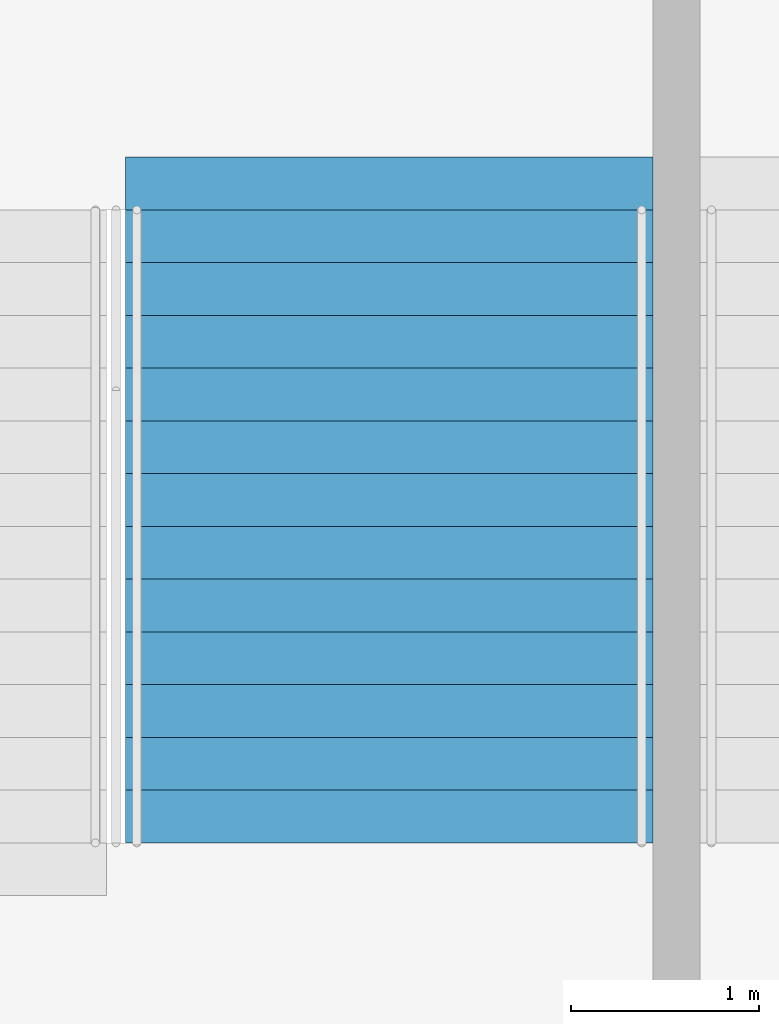
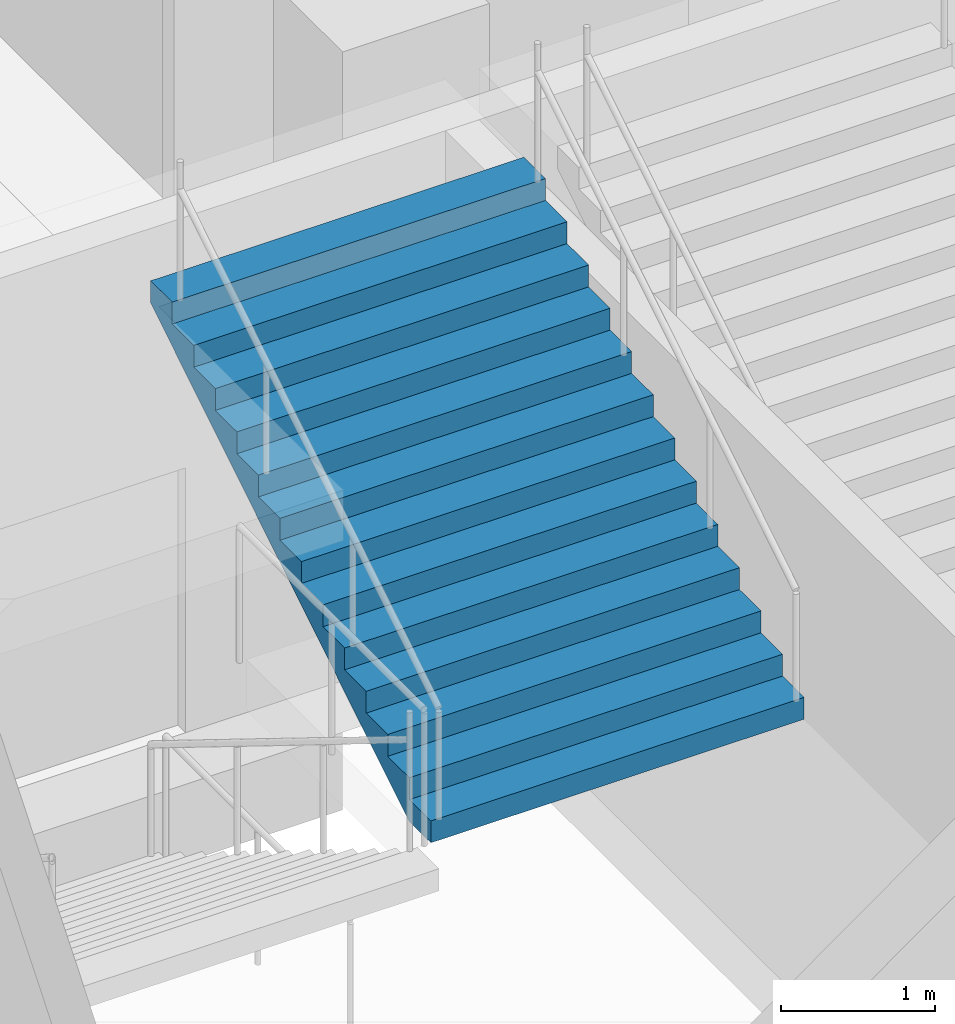
# One storey, part 147 of 249: 1 stair flight, 1 element without a shape of its own.
"""IFC4 building model written with IfcOpenShell, lengths in metres."""

from ifc_helpers import new_model, si_unit, direction, frame, origin, place, context, subcontext, project, spatial, faceted_brep, material, type_object, element, aggregate, save


model = new_model("IFC4")

# Units and contexts
model_context = context("Model", 3, precision=1e-05, world=origin(), true_north=direction((0.0, 1.0)))
body_context = subcontext(model_context, "Body", "Model", "MODEL_VIEW")
ifc_project = project(units=[si_unit("LENGTHUNIT", "METRE"), si_unit("AREAUNIT", "SQUARE_METRE"), si_unit("VOLUMEUNIT", "CUBIC_METRE"), si_unit("PLANEANGLEUNIT", "RADIAN"), si_unit("MASSUNIT", "GRAM", prefix="KILO")], contexts=[model_context])

# Site, building, storey
site_placement = place(None, origin())
site = spatial("IfcSite", under=ifc_project, at=site_placement, CompositionType="ELEMENT")
building_placement = place(site_placement, origin())
building = spatial("IfcBuilding", under=site, at=building_placement, Name="Ogive Plaza Stadium", CompositionType="ELEMENT")
storey_placement = place(building_placement, frame((0.0, 0.0, 13.5)))
storey = spatial("IfcBuildingStorey", under=building, at=storey_placement, Name="L03", CompositionType="ELEMENT", Elevation=13.5)

# Stair, stair flight
ifc_material_1 = material(Name="Concrete C40/50", Category="concrete")
stair_type = type_object("IfcStairType", Name="Exit stair", PredefinedType="STRAIGHT_RUN_STAIR", material=ifc_material_1)
stair_placement = place(storey_placement, origin())
stair = element("IfcStair", 1, at=stair_placement, inside=storey, type_object=stair_type, Name="Exit stair ST14A L03 to L04", PredefinedType="STRAIGHT_RUN_STAIR")
ifc_material_2 = material(Name="Concrete C40/50", Category="concrete")
stair_flight_type = type_object("IfcStairFlightType", Name="Exit stair flight", PredefinedType="STRAIGHT", material=ifc_material_2)
stair_flight_placement = place(storey_placement, frame((5.27490234375, -98.2099609375, 2.25), z_axis=(0.0, 0.0, 1.0), x_axis=(0.0, 1.0, 0.0)))
stair_flight = element("IfcStairFlight", 2, at=stair_flight_placement, type_object=stair_flight_type, Name="ST14A flight 2", NumberOfRisers=13, NumberOfTreads=12, PredefinedType="STRAIGHT", RiserHeight=0.173076923, TreadLength=0.28, context=body_context, shape_type="Brep", body=[
    faceted_brep([(0.28515625, -1.39990234375, 0.0), (3.639892578125, -1.39990234375, 2.07373046875), (3.639892578125, -1.39990234375, 2.25), (3.360107421875, -1.39990234375, 2.25), (3.360107421875, -1.39990234375, 2.076904296875), (3.080078125, -1.39990234375, 2.076904296875), (3.080078125, -1.39990234375, 1.90380859375), (2.800048828125, -1.39990234375, 1.90380859375), (2.800048828125, -1.39990234375, 1.730712890625), (2.52001953125, -1.39990234375, 1.730712890625), (2.52001953125, -1.39990234375, 1.5576171875), (2.239990234375, -1.39990234375, 1.5576171875), (2.239990234375, -1.39990234375, 1.384521484375), (1.9599609375, -1.39990234375, 1.384521484375), (1.9599609375, -1.39990234375, 1.21142578125), (1.679931640625, -1.39990234375, 1.21142578125), (1.679931640625, -1.39990234375, 1.03857421875), (1.39990234375, -1.39990234375, 1.03857421875), (1.39990234375, -1.39990234375, 0.865478515625), (1.1201171875, -1.39990234375, 0.865478515625), (1.1201171875, -1.39990234375, 0.6923828125), (0.840087890625, -1.39990234375, 0.6923828125), (0.840087890625, -1.39990234375, 0.519287109375), (0.56005859375, -1.39990234375, 0.519287109375), (0.56005859375, -1.39990234375, 0.34619140625), (0.280029296875, -1.39990234375, 0.34619140625), (0.280029296875, -1.39990234375, 0.173095703125), (0.0, -1.39990234375, 0.173095703125), (0.0, -1.39990234375, 0.0), (0.0, 1.39990234375, 0.0), (0.0, 1.39990234375, 0.173095703125), (0.280029296875, 1.39990234375, 0.173095703125), (0.280029296875, 1.39990234375, 0.34619140625), (0.56005859375, 1.39990234375, 0.34619140625), (0.56005859375, 1.39990234375, 0.519287109375), (0.840087890625, 1.39990234375, 0.519287109375), (0.840087890625, 1.39990234375, 0.6923828125), (1.1201171875, 1.39990234375, 0.6923828125), (1.1201171875, 1.39990234375, 0.865478515625), (1.39990234375, 1.39990234375, 0.865478515625), (1.39990234375, 1.39990234375, 1.03857421875), (1.679931640625, 1.39990234375, 1.03857421875), (1.679931640625, 1.39990234375, 1.21142578125), (1.9599609375, 1.39990234375, 1.21142578125), (1.9599609375, 1.39990234375, 1.384521484375), (2.239990234375, 1.39990234375, 1.384521484375), (2.239990234375, 1.39990234375, 1.5576171875), (2.52001953125, 1.39990234375, 1.5576171875), (2.52001953125, 1.39990234375, 1.730712890625), (2.800048828125, 1.39990234375, 1.730712890625), (2.800048828125, 1.39990234375, 1.90380859375), (3.080078125, 1.39990234375, 1.90380859375), (3.080078125, 1.39990234375, 2.076904296875), (3.360107421875, 1.39990234375, 2.076904296875), (3.360107421875, 1.39990234375, 2.25), (3.639892578125, 1.39990234375, 2.25), (3.639892578125, 1.39990234375, 2.07373046875), (0.28515625, 1.39990234375, 0.0), (0.28515625, -1.0888671875, 0.0), (3.639892578125, -1.0888671875, 2.07373046875), (0.28515625, -0.77783203125, 0.0), (3.639892578125, -0.77783203125, 2.07373046875), (0.28515625, -0.466796875, 0.0), (3.639892578125, -0.466796875, 2.07373046875), (0.28515625, -0.155517578125, 0.0), (3.639892578125, -0.155517578125, 2.07373046875), (0.28515625, 0.155517578125, 0.0), (3.639892578125, 0.155517578125, 2.07373046875), (0.28515625, 0.466796875, 0.0), (3.639892578125, 0.466796875, 2.07373046875), (0.28515625, 0.77783203125, 0.0), (3.639892578125, 0.77783203125, 2.07373046875), (0.28515625, 1.0888671875, 0.0), (3.639892578125, 1.0888671875, 2.07373046875), (3.639892578125, -1.0888671875, 2.25), (3.639892578125, -0.77783203125, 2.25), (3.639892578125, -0.466796875, 2.25), (3.639892578125, -0.155517578125, 2.25), (3.639892578125, 0.155517578125, 2.25), (3.639892578125, 0.466796875, 2.25), (3.639892578125, 0.77783203125, 2.25), (3.639892578125, 1.0888671875, 2.25), (3.360107421875, -1.0888671875, 2.25), (3.360107421875, -0.77783203125, 2.25), (3.360107421875, -0.466796875, 2.25), (3.360107421875, -0.155517578125, 2.25), (3.360107421875, 0.155517578125, 2.25), (3.360107421875, 0.466796875, 2.25), (3.360107421875, 0.77783203125, 2.25), (3.360107421875, 1.0888671875, 2.25), (3.360107421875, -1.0888671875, 2.076904296875), (3.360107421875, -0.77783203125, 2.076904296875), (3.360107421875, -0.466796875, 2.076904296875), (3.360107421875, -0.155517578125, 2.076904296875), (3.360107421875, 0.155517578125, 2.076904296875), (3.360107421875, 0.466796875, 2.076904296875), (3.360107421875, 0.77783203125, 2.076904296875), (3.360107421875, 1.0888671875, 2.076904296875), (3.080078125, -1.0888671875, 2.076904296875), (3.080078125, -0.77783203125, 2.076904296875), (3.080078125, -0.466796875, 2.076904296875), (3.080078125, -0.155517578125, 2.076904296875), (3.080078125, 0.155517578125, 2.076904296875), (3.080078125, 0.466796875, 2.076904296875), (3.080078125, 0.77783203125, 2.076904296875), (3.080078125, 1.0888671875, 2.076904296875), (3.080078125, -1.0888671875, 1.90380859375), (3.080078125, -0.77783203125, 1.90380859375), (3.080078125, -0.466796875, 1.90380859375), (3.080078125, -0.155517578125, 1.90380859375), (3.080078125, 0.155517578125, 1.90380859375), (3.080078125, 0.466796875, 1.90380859375), (3.080078125, 0.77783203125, 1.90380859375), (3.080078125, 1.0888671875, 1.90380859375), (2.800048828125, -1.0888671875, 1.90380859375), (2.800048828125, -0.77783203125, 1.90380859375), (2.800048828125, -0.466796875, 1.90380859375), (2.800048828125, -0.155517578125, 1.90380859375), (2.800048828125, 0.155517578125, 1.90380859375), (2.800048828125, 0.466796875, 1.90380859375), (2.800048828125, 0.77783203125, 1.90380859375), (2.800048828125, 1.0888671875, 1.90380859375), (2.800048828125, -1.0888671875, 1.730712890625), (2.800048828125, -0.77783203125, 1.730712890625), (2.800048828125, -0.466796875, 1.730712890625), (2.800048828125, -0.155517578125, 1.730712890625), (2.800048828125, 0.155517578125, 1.730712890625), (2.800048828125, 0.466796875, 1.730712890625), (2.800048828125, 0.77783203125, 1.730712890625), (2.800048828125, 1.0888671875, 1.730712890625), (2.52001953125, -1.0888671875, 1.730712890625), (2.52001953125, -0.77783203125, 1.730712890625), (2.52001953125, -0.466796875, 1.730712890625), (2.52001953125, -0.155517578125, 1.730712890625), (2.52001953125, 0.155517578125, 1.730712890625), (2.52001953125, 0.466796875, 1.730712890625), (2.52001953125, 0.77783203125, 1.730712890625), (2.52001953125, 1.0888671875, 1.730712890625), (2.52001953125, -1.0888671875, 1.5576171875), (2.52001953125, -0.77783203125, 1.5576171875), (2.52001953125, -0.466796875, 1.5576171875), (2.52001953125, -0.155517578125, 1.5576171875), (2.52001953125, 0.155517578125, 1.5576171875), (2.52001953125, 0.466796875, 1.5576171875), (2.52001953125, 0.77783203125, 1.5576171875), (2.52001953125, 1.0888671875, 1.5576171875), (2.239990234375, -1.0888671875, 1.5576171875), (2.239990234375, -0.77783203125, 1.5576171875), (2.239990234375, -0.466796875, 1.5576171875), (2.239990234375, -0.155517578125, 1.5576171875), (2.239990234375, 0.155517578125, 1.5576171875), (2.239990234375, 0.466796875, 1.5576171875), (2.239990234375, 0.77783203125, 1.5576171875), (2.239990234375, 1.0888671875, 1.5576171875), (2.239990234375, -1.0888671875, 1.384521484375), (2.239990234375, -0.77783203125, 1.384521484375), (2.239990234375, -0.466796875, 1.384521484375), (2.239990234375, -0.155517578125, 1.384521484375), (2.239990234375, 0.155517578125, 1.384521484375), (2.239990234375, 0.466796875, 1.384521484375), (2.239990234375, 0.77783203125, 1.384521484375), (2.239990234375, 1.0888671875, 1.384521484375), (1.9599609375, -1.0888671875, 1.384521484375), (1.9599609375, -0.77783203125, 1.384521484375), (1.9599609375, -0.466796875, 1.384521484375), (1.9599609375, -0.155517578125, 1.384521484375), (1.9599609375, 0.155517578125, 1.384521484375), (1.9599609375, 0.466796875, 1.384521484375), (1.9599609375, 0.77783203125, 1.384521484375), (1.9599609375, 1.0888671875, 1.384521484375), (1.9599609375, -1.0888671875, 1.21142578125), (1.9599609375, -0.77783203125, 1.21142578125), (1.9599609375, -0.466796875, 1.21142578125), (1.9599609375, -0.155517578125, 1.21142578125), (1.9599609375, 0.155517578125, 1.21142578125), (1.9599609375, 0.466796875, 1.21142578125), (1.9599609375, 0.77783203125, 1.21142578125), (1.9599609375, 1.0888671875, 1.21142578125), (1.679931640625, -1.0888671875, 1.21142578125), (1.679931640625, -0.77783203125, 1.21142578125), (1.679931640625, -0.466796875, 1.21142578125), (1.679931640625, -0.155517578125, 1.21142578125), (1.679931640625, 0.155517578125, 1.21142578125), (1.679931640625, 0.466796875, 1.21142578125), (1.679931640625, 0.77783203125, 1.21142578125), (1.679931640625, 1.0888671875, 1.21142578125), (1.679931640625, -1.0888671875, 1.03857421875), (1.679931640625, -0.77783203125, 1.03857421875), (1.679931640625, -0.466796875, 1.03857421875), (1.679931640625, -0.155517578125, 1.03857421875), (1.679931640625, 0.155517578125, 1.03857421875), (1.679931640625, 0.466796875, 1.03857421875), (1.679931640625, 0.77783203125, 1.03857421875), (1.679931640625, 1.0888671875, 1.03857421875), (1.39990234375, -1.0888671875, 1.03857421875), (1.39990234375, -0.77783203125, 1.03857421875), (1.39990234375, -0.466796875, 1.03857421875), (1.39990234375, -0.155517578125, 1.03857421875), (1.39990234375, 0.155517578125, 1.03857421875), (1.39990234375, 0.466796875, 1.03857421875), (1.39990234375, 0.77783203125, 1.03857421875), (1.39990234375, 1.0888671875, 1.03857421875), (1.39990234375, -1.0888671875, 0.865478515625), (1.39990234375, -0.77783203125, 0.865478515625), (1.39990234375, -0.466796875, 0.865478515625), (1.39990234375, -0.155517578125, 0.865478515625), (1.39990234375, 0.155517578125, 0.865478515625), (1.39990234375, 0.466796875, 0.865478515625), (1.39990234375, 0.77783203125, 0.865478515625), (1.39990234375, 1.0888671875, 0.865478515625), (1.1201171875, -1.0888671875, 0.865478515625), (1.1201171875, -0.77783203125, 0.865478515625), (1.1201171875, -0.466796875, 0.865478515625), (1.1201171875, -0.155517578125, 0.865478515625), (1.1201171875, 0.155517578125, 0.865478515625), (1.1201171875, 0.466796875, 0.865478515625), (1.1201171875, 0.77783203125, 0.865478515625), (1.1201171875, 1.0888671875, 0.865478515625), (1.1201171875, -1.0888671875, 0.6923828125), (1.1201171875, -0.77783203125, 0.6923828125), (1.1201171875, -0.466796875, 0.6923828125), (1.1201171875, -0.155517578125, 0.6923828125), (1.1201171875, 0.155517578125, 0.6923828125), (1.1201171875, 0.466796875, 0.6923828125), (1.1201171875, 0.77783203125, 0.6923828125), (1.1201171875, 1.0888671875, 0.6923828125), (0.840087890625, -1.0888671875, 0.6923828125), (0.840087890625, -0.77783203125, 0.6923828125), (0.840087890625, -0.466796875, 0.6923828125), (0.840087890625, -0.155517578125, 0.6923828125), (0.840087890625, 0.155517578125, 0.6923828125), (0.840087890625, 0.466796875, 0.6923828125), (0.840087890625, 0.77783203125, 0.6923828125), (0.840087890625, 1.0888671875, 0.6923828125), (0.840087890625, -1.0888671875, 0.519287109375), (0.840087890625, -0.77783203125, 0.519287109375), (0.840087890625, -0.466796875, 0.519287109375), (0.840087890625, -0.155517578125, 0.519287109375), (0.840087890625, 0.155517578125, 0.519287109375), (0.840087890625, 0.466796875, 0.519287109375), (0.840087890625, 0.77783203125, 0.519287109375), (0.840087890625, 1.0888671875, 0.519287109375), (0.56005859375, -1.0888671875, 0.519287109375), (0.56005859375, -0.77783203125, 0.519287109375), (0.56005859375, -0.466796875, 0.519287109375), (0.56005859375, -0.155517578125, 0.519287109375), (0.56005859375, 0.155517578125, 0.519287109375), (0.56005859375, 0.466796875, 0.519287109375), (0.56005859375, 0.77783203125, 0.519287109375), (0.56005859375, 1.0888671875, 0.519287109375), (0.56005859375, -1.0888671875, 0.34619140625), (0.56005859375, -0.77783203125, 0.34619140625), (0.56005859375, -0.466796875, 0.34619140625), (0.56005859375, -0.155517578125, 0.34619140625), (0.56005859375, 0.155517578125, 0.34619140625), (0.56005859375, 0.466796875, 0.34619140625), (0.56005859375, 0.77783203125, 0.34619140625), (0.56005859375, 1.0888671875, 0.34619140625), (0.280029296875, -1.0888671875, 0.34619140625), (0.280029296875, -0.77783203125, 0.34619140625), (0.280029296875, -0.466796875, 0.34619140625), (0.280029296875, -0.155517578125, 0.34619140625), (0.280029296875, 0.155517578125, 0.34619140625), (0.280029296875, 0.466796875, 0.34619140625), (0.280029296875, 0.77783203125, 0.34619140625), (0.280029296875, 1.0888671875, 0.34619140625), (0.280029296875, -1.0888671875, 0.173095703125), (0.280029296875, -0.77783203125, 0.173095703125), (0.280029296875, -0.466796875, 0.173095703125), (0.280029296875, -0.155517578125, 0.173095703125), (0.280029296875, 0.155517578125, 0.173095703125), (0.280029296875, 0.466796875, 0.173095703125), (0.280029296875, 0.77783203125, 0.173095703125), (0.280029296875, 1.0888671875, 0.173095703125), (0.0, -1.0888671875, 0.173095703125), (0.0, -0.77783203125, 0.173095703125), (0.0, -0.466796875, 0.173095703125), (0.0, -0.155517578125, 0.173095703125), (0.0, 0.155517578125, 0.173095703125), (0.0, 0.466796875, 0.173095703125), (0.0, 0.77783203125, 0.173095703125), (0.0, 1.0888671875, 0.173095703125), (0.0, -1.0888671875, 0.0), (0.0, -0.77783203125, 0.0), (0.0, -0.466796875, 0.0), (0.0, -0.155517578125, 0.0), (0.0, 0.155517578125, 0.0), (0.0, 0.466796875, 0.0), (0.0, 0.77783203125, 0.0), (0.0, 1.0888671875, 0.0)], [[[0, 1, 2, 3, 4, 5, 6, 7, 8, 9, 10, 11, 12, 13, 14, 15, 16, 17, 18, 19, 20, 21, 22, 23, 24, 25, 26, 27, 28]], [[29, 30, 31, 32, 33, 34, 35, 36, 37, 38, 39, 40, 41, 42, 43, 44, 45, 46, 47, 48, 49, 50, 51, 52, 53, 54, 55, 56, 57]], [[0, 58, 59, 1]], [[58, 60, 61, 59]], [[60, 62, 63, 61]], [[62, 64, 65, 63]], [[64, 66, 67, 65]], [[66, 68, 69, 67]], [[68, 70, 71, 69]], [[70, 72, 73, 71]], [[72, 57, 56, 73]], [[1, 59, 74, 2]], [[59, 61, 75, 74]], [[61, 63, 76, 75]], [[63, 65, 77, 76]], [[65, 67, 78, 77]], [[67, 69, 79, 78]], [[69, 71, 80, 79]], [[71, 73, 81, 80]], [[73, 56, 55, 81]], [[2, 74, 82, 3]], [[74, 75, 83, 82]], [[75, 76, 84, 83]], [[76, 77, 85, 84]], [[77, 78, 86, 85]], [[78, 79, 87, 86]], [[79, 80, 88, 87]], [[80, 81, 89, 88]], [[81, 55, 54, 89]], [[3, 82, 90, 4]], [[82, 83, 91, 90]], [[83, 84, 92, 91]], [[84, 85, 93, 92]], [[85, 86, 94, 93]], [[86, 87, 95, 94]], [[87, 88, 96, 95]], [[88, 89, 97, 96]], [[89, 54, 53, 97]], [[4, 90, 98, 5]], [[90, 91, 99, 98]], [[91, 92, 100, 99]], [[92, 93, 101, 100]], [[93, 94, 102, 101]], [[94, 95, 103, 102]], [[95, 96, 104, 103]], [[96, 97, 105, 104]], [[97, 53, 52, 105]], [[5, 98, 106, 6]], [[98, 99, 107, 106]], [[99, 100, 108, 107]], [[100, 101, 109, 108]], [[101, 102, 110, 109]], [[102, 103, 111, 110]], [[103, 104, 112, 111]], [[104, 105, 113, 112]], [[105, 52, 51, 113]], [[6, 106, 114, 7]], [[106, 107, 115, 114]], [[107, 108, 116, 115]], [[108, 109, 117, 116]], [[109, 110, 118, 117]], [[110, 111, 119, 118]], [[111, 112, 120, 119]], [[112, 113, 121, 120]], [[113, 51, 50, 121]], [[7, 114, 122, 8]], [[114, 115, 123, 122]], [[115, 116, 124, 123]], [[116, 117, 125, 124]], [[117, 118, 126, 125]], [[118, 119, 127, 126]], [[119, 120, 128, 127]], [[120, 121, 129, 128]], [[121, 50, 49, 129]], [[8, 122, 130, 9]], [[122, 123, 131, 130]], [[123, 124, 132, 131]], [[124, 125, 133, 132]], [[125, 126, 134, 133]], [[126, 127, 135, 134]], [[127, 128, 136, 135]], [[128, 129, 137, 136]], [[129, 49, 48, 137]], [[9, 130, 138, 10]], [[130, 131, 139, 138]], [[131, 132, 140, 139]], [[132, 133, 141, 140]], [[133, 134, 142, 141]], [[134, 135, 143, 142]], [[135, 136, 144, 143]], [[136, 137, 145, 144]], [[137, 48, 47, 145]], [[10, 138, 146, 11]], [[138, 139, 147, 146]], [[139, 140, 148, 147]], [[140, 141, 149, 148]], [[141, 142, 150, 149]], [[142, 143, 151, 150]], [[143, 144, 152, 151]], [[144, 145, 153, 152]], [[145, 47, 46, 153]], [[11, 146, 154, 12]], [[146, 147, 155, 154]], [[147, 148, 156, 155]], [[148, 149, 157, 156]], [[149, 150, 158, 157]], [[150, 151, 159, 158]], [[151, 152, 160, 159]], [[152, 153, 161, 160]], [[153, 46, 45, 161]], [[12, 154, 162, 13]], [[154, 155, 163, 162]], [[155, 156, 164, 163]], [[156, 157, 165, 164]], [[157, 158, 166, 165]], [[158, 159, 167, 166]], [[159, 160, 168, 167]], [[160, 161, 169, 168]], [[161, 45, 44, 169]], [[13, 162, 170, 14]], [[162, 163, 171, 170]], [[163, 164, 172, 171]], [[164, 165, 173, 172]], [[165, 166, 174, 173]], [[166, 167, 175, 174]], [[167, 168, 176, 175]], [[168, 169, 177, 176]], [[169, 44, 43, 177]], [[14, 170, 178, 15]], [[170, 171, 179, 178]], [[171, 172, 180, 179]], [[172, 173, 181, 180]], [[173, 174, 182, 181]], [[174, 175, 183, 182]], [[175, 176, 184, 183]], [[176, 177, 185, 184]], [[177, 43, 42, 185]], [[15, 178, 186, 16]], [[178, 179, 187, 186]], [[179, 180, 188, 187]], [[180, 181, 189, 188]], [[181, 182, 190, 189]], [[182, 183, 191, 190]], [[183, 184, 192, 191]], [[184, 185, 193, 192]], [[185, 42, 41, 193]], [[16, 186, 194, 17]], [[186, 187, 195, 194]], [[187, 188, 196, 195]], [[188, 189, 197, 196]], [[189, 190, 198, 197]], [[190, 191, 199, 198]], [[191, 192, 200, 199]], [[192, 193, 201, 200]], [[193, 41, 40, 201]], [[17, 194, 202, 18]], [[194, 195, 203, 202]], [[195, 196, 204, 203]], [[196, 197, 205, 204]], [[197, 198, 206, 205]], [[198, 199, 207, 206]], [[199, 200, 208, 207]], [[200, 201, 209, 208]], [[201, 40, 39, 209]], [[18, 202, 210, 19]], [[202, 203, 211, 210]], [[203, 204, 212, 211]], [[204, 205, 213, 212]], [[205, 206, 214, 213]], [[206, 207, 215, 214]], [[207, 208, 216, 215]], [[208, 209, 217, 216]], [[209, 39, 38, 217]], [[19, 210, 218, 20]], [[210, 211, 219, 218]], [[211, 212, 220, 219]], [[212, 213, 221, 220]], [[213, 214, 222, 221]], [[214, 215, 223, 222]], [[215, 216, 224, 223]], [[216, 217, 225, 224]], [[217, 38, 37, 225]], [[20, 218, 226, 21]], [[218, 219, 227, 226]], [[219, 220, 228, 227]], [[220, 221, 229, 228]], [[221, 222, 230, 229]], [[222, 223, 231, 230]], [[223, 224, 232, 231]], [[224, 225, 233, 232]], [[225, 37, 36, 233]], [[21, 226, 234, 22]], [[226, 227, 235, 234]], [[227, 228, 236, 235]], [[228, 229, 237, 236]], [[229, 230, 238, 237]], [[230, 231, 239, 238]], [[231, 232, 240, 239]], [[232, 233, 241, 240]], [[233, 36, 35, 241]], [[22, 234, 242, 23]], [[234, 235, 243, 242]], [[235, 236, 244, 243]], [[236, 237, 245, 244]], [[237, 238, 246, 245]], [[238, 239, 247, 246]], [[239, 240, 248, 247]], [[240, 241, 249, 248]], [[241, 35, 34, 249]], [[23, 242, 250, 24]], [[242, 243, 251, 250]], [[243, 244, 252, 251]], [[244, 245, 253, 252]], [[245, 246, 254, 253]], [[246, 247, 255, 254]], [[247, 248, 256, 255]], [[248, 249, 257, 256]], [[249, 34, 33, 257]], [[24, 250, 258, 25]], [[250, 251, 259, 258]], [[251, 252, 260, 259]], [[252, 253, 261, 260]], [[253, 254, 262, 261]], [[254, 255, 263, 262]], [[255, 256, 264, 263]], [[256, 257, 265, 264]], [[257, 33, 32, 265]], [[25, 258, 266, 26]], [[258, 259, 267, 266]], [[259, 260, 268, 267]], [[260, 261, 269, 268]], [[261, 262, 270, 269]], [[262, 263, 271, 270]], [[263, 264, 272, 271]], [[264, 265, 273, 272]], [[265, 32, 31, 273]], [[26, 266, 274, 27]], [[266, 267, 275, 274]], [[267, 268, 276, 275]], [[268, 269, 277, 276]], [[269, 270, 278, 277]], [[270, 271, 279, 278]], [[271, 272, 280, 279]], [[272, 273, 281, 280]], [[273, 31, 30, 281]], [[27, 274, 282, 28]], [[274, 275, 283, 282]], [[275, 276, 284, 283]], [[276, 277, 285, 284]], [[277, 278, 286, 285]], [[278, 279, 287, 286]], [[279, 280, 288, 287]], [[280, 281, 289, 288]], [[281, 30, 29, 289]], [[28, 282, 58, 0]], [[282, 283, 60, 58]], [[283, 284, 62, 60]], [[284, 285, 64, 62]], [[285, 286, 66, 64]], [[286, 287, 68, 66]], [[287, 288, 70, 68]], [[288, 289, 72, 70]], [[289, 29, 57, 72]]]),
])
aggregate(stair, [stair_flight])

save(model, "model.ifc")
